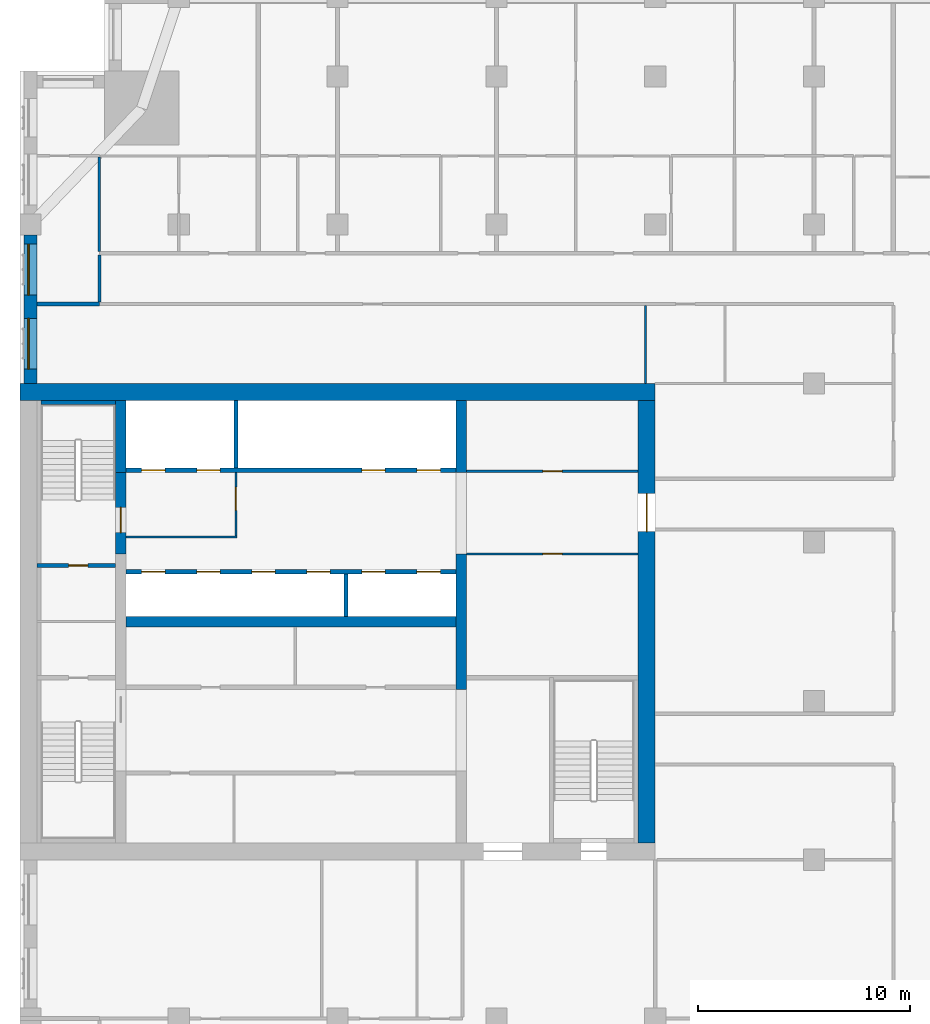
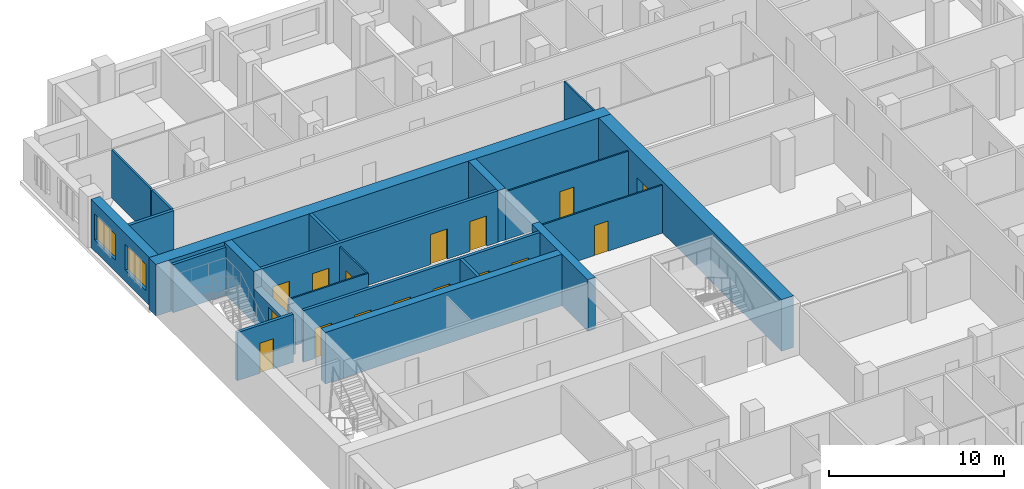
# One storey, part 8 of 14: 22 walls, 16 doors, 2 windows, 18 openings.
"""IFC4 building model written with IfcOpenShell, lengths in metres."""

import ifcopenshell
import ifcopenshell.guid

model = None  # the IFC model being written
_history = None  # IfcOwnerHistory: only IFC2X3 demands one
_inside = {}  # id of a spatial element -> (the spatial element, [elements in it])
_under = {}  # id of a project, library or spatial element -> (it, [spatial elements below it])
_declared = {}  # id of a project -> (the project, [libraries it declares])
_typed = {}  # id of a type object -> (the type object, [elements of that type])
_made_of = {}  # id of a material, layer set ... -> (it, [elements and type objects made of it])


def new_model(schema):
    """Start an empty IFC model of exactly this schema.

    Asked for "IFC4X3", IfcOpenShell would pick the latest addendum, in which some entities
    have other attributes; the version numbers below select the first issue.
    IFC2X3 requires an IfcOwnerHistory on every rooted entity: one is made here for all.
    """
    global model, _history
    if schema == "IFC4X3":
        model = ifcopenshell.file(schema_version=(4, 3, 0, 0))
    else:
        model = ifcopenshell.file(schema=schema)
    _inside.clear()
    _under.clear()
    _declared.clear()
    _typed.clear()
    _made_of.clear()
    _history = None
    if model.schema == "IFC2X3":
        org = make("IfcOrganization", Name="unknown")
        user = make(
            "IfcPersonAndOrganization",
            ThePerson=make("IfcPerson", FamilyName="unknown"),
            TheOrganization=org,
        )
        app = make(
            "IfcApplication",
            ApplicationDeveloper=org,
            Version="unknown",
            ApplicationFullName="unknown",
            ApplicationIdentifier="unknown",
        )
        _history = make(
            "IfcOwnerHistory",
            OwningUser=user,
            OwningApplication=app,
            ChangeAction="ADDED",
            CreationDate=0,
        )
    return model


def make(cls, **values):
    """One entity of the class cls with the attributes given. An attribute that is None is left unset."""
    return model.create_entity(
        cls, **{name: value for name, value in values.items() if value is not None}
    )


def rooted(cls, **values):
    """An entity with a GlobalId (a new one), such as an element, a storey or a relation."""
    return make(cls, GlobalId=ifcopenshell.guid.new(), OwnerHistory=_history, **values)


def si_unit(unit_type, name, prefix=None):
    """IfcSIUnit, for example si_unit("LENGTHUNIT", "METRE", prefix="MILLI")."""
    return make("IfcSIUnit", UnitType=unit_type, Prefix=prefix, Name=name)


def assignment(units):
    """IfcUnitAssignment: the units of a project."""
    return None if units is None else make("IfcUnitAssignment", Units=units)


def point(xyz):
    """IfcCartesianPoint."""
    return None if xyz is None else make("IfcCartesianPoint", Coordinates=xyz)


def direction(xyz):
    """IfcDirection."""
    return None if xyz is None else make("IfcDirection", DirectionRatios=xyz)


def frame(location, z_axis=None, x_axis=None):
    """IfcAxis2Placement3D, a coordinate frame: its origin and axes. An axis left out is left unset."""
    return make(
        "IfcAxis2Placement3D",
        Location=point(location),
        Axis=direction(z_axis),
        RefDirection=direction(x_axis),
    )


def frame_2d(location, x_axis=None):
    """IfcAxis2Placement2D, a coordinate frame in the plane: its origin and x axis."""
    return make(
        "IfcAxis2Placement2D", Location=point(location), RefDirection=direction(x_axis)
    )


def origin():
    """The frame at (0, 0, 0) with its axes left unset."""
    return frame((0.0, 0.0, 0.0))


def place(relative_to, where):
    """IfcLocalPlacement: puts the frame where relative to a parent placement (None: the world)."""
    return make(
        "IfcLocalPlacement", PlacementRelTo=relative_to, RelativePlacement=where
    )


def context(
    kind, dimensions, precision=None, world=None, true_north=None, identifier=None
):
    """IfcGeometricRepresentationContext, for example the 3D "Model" context."""
    return make(
        "IfcGeometricRepresentationContext",
        ContextIdentifier=identifier,
        ContextType=kind,
        CoordinateSpaceDimension=dimensions,
        Precision=precision,
        WorldCoordinateSystem=world,
        TrueNorth=true_north,
    )


def subcontext(parent, identifier, kind, view, scale=None):
    """IfcGeometricRepresentationSubContext, for example "Body" below "Model"."""
    return make(
        "IfcGeometricRepresentationSubContext",
        ContextIdentifier=identifier,
        ContextType=kind,
        ParentContext=parent,
        TargetScale=scale,
        TargetView=view,
    )


def project(units=None, contexts=None):
    """IfcProject with its units and contexts."""
    return rooted(
        "IfcProject",
        Name="project",
        RepresentationContexts=contexts,
        UnitsInContext=assignment(units),
    )


def spatial(cls, under=None, at=None, **own):
    """A site, building, storey or space (cls), placed at a placement, below another one or the project."""
    s = rooted(cls, ObjectPlacement=at, **own)
    if under is not None:
        _under.setdefault(under.id(), (under, []))[1].append(s)
    return s


def profile(cls, at=None, kind="AREA", **sizes):
    """A parametric profile (cls). Its sizes go by their IFC names, for example OverallWidth=200.0."""
    return make(cls, ProfileType=kind, Position=at, **sizes)


def rectangle(**sizes):
    """IfcRectangleProfileDef."""
    return profile("IfcRectangleProfileDef", **sizes)


def extrude(swept, where, along, depth):
    """IfcExtrudedAreaSolid: the profile swept, set in the frame where, extruded along a direction by depth."""
    return make(
        "IfcExtrudedAreaSolid",
        SweptArea=swept,
        Position=where,
        ExtrudedDirection=direction(along),
        Depth=depth,
    )


def shape(context_of_items, identifier, shape_type, items):
    """IfcShapeRepresentation: the items that make up one representation, for example the "Body"."""
    return make(
        "IfcShapeRepresentation",
        ContextOfItems=context_of_items,
        RepresentationIdentifier=identifier,
        RepresentationType=shape_type,
        Items=items,
    )


def material(Name=None, Category=None):
    """IfcMaterial."""
    return make("IfcMaterial", Name=Name, Category=Category)


def layer(
    of_material, thickness, ventilated=None, Name=None, Category=None, Priority=None
):
    """IfcMaterialLayer: one layer of a wall or slab, of a material (None: an air gap)."""
    return make(
        "IfcMaterialLayer",
        Material=of_material,
        LayerThickness=thickness,
        IsVentilated=ventilated,
        Name=Name,
        Category=Category,
        Priority=Priority,
    )


def layer_set(layers, Name=None):
    """IfcMaterialLayerSet."""
    return make("IfcMaterialLayerSet", MaterialLayers=layers, LayerSetName=Name)


def made_of(thing, what):
    """Note that an element or type object is made of a material, layer set ...; save() writes the relation."""
    if what is not None:
        _made_of.setdefault(what.id(), (what, []))[1].append(thing)
    return thing


def type_object(cls, material=None, **own):
    """A type object (cls), such as IfcWallType, which elements share."""
    return made_of(rooted(cls, **own), material)


def element(
    cls,
    number,
    at=None,
    inside=None,
    cuts=None,
    type_object=None,
    material=None,
    context=None,
    identifier="Body",
    shape_type=None,
    held_by="IfcProductDefinitionShape",
    body=None,
    shapes=None,
    **own,
):
    """One element of the class cls, such as IfcWall. Its Tag is "e" and its number.

    at: its placement. inside: the storey or other place that contains it. cuts: it is an
    opening in that element (IfcRelVoidsElement). A single representation is given by context,
    identifier, shape_type and body (its items); several are given by shapes. held_by: the class
    of the entity that holds the representations. save() writes the other relations.
    """
    e = rooted(cls, Tag="e%d" % number, ObjectPlacement=at, **own)
    if body is not None:
        shapes = [shape(context, identifier, shape_type, body)]
    if shapes is not None:
        e.Representation = make(held_by, Representations=shapes)
    if inside is not None:
        _inside.setdefault(inside.id(), (inside, []))[1].append(e)
    if cuts is not None:
        rooted(
            "IfcRelVoidsElement", RelatingBuildingElement=cuts, RelatedOpeningElement=e
        )
    if type_object is not None:
        _typed.setdefault(type_object.id(), (type_object, []))[1].append(e)
    return made_of(e, material)


def fill(opening, filler):
    """IfcRelFillsElement: the door or window that sits in an opening."""
    return rooted(
        "IfcRelFillsElement",
        RelatingOpeningElement=opening,
        RelatedBuildingElement=filler,
    )


def aggregate(whole, parts):
    """IfcRelAggregates: a whole, such as a stair, and the parts it consists of."""
    return rooted("IfcRelAggregates", RelatingObject=whole, RelatedObjects=parts)


def save(model, path):
    """Write the relations noted so far, then the file.

    IfcRelAggregates (storeys below a building ...), IfcRelContainedInSpatialStructure (elements
    in a storey), IfcRelDefinesByType, IfcRelAssociatesMaterial and IfcRelDeclares: one each for
    every whole, place, type object, material and project.
    """
    for whole, parts in _under.values():
        aggregate(whole, parts)
    for where, things in _inside.values():
        rooted(
            "IfcRelContainedInSpatialStructure",
            RelatedElements=things,
            RelatingStructure=where,
        )
    for kind, things in _typed.values():
        rooted("IfcRelDefinesByType", RelatedObjects=things, RelatingType=kind)
    for what, things in _made_of.values():
        rooted("IfcRelAssociatesMaterial", RelatedObjects=things, RelatingMaterial=what)
    for by, libraries in _declared.values():
        rooted("IfcRelDeclares", RelatingContext=by, RelatedDefinitions=libraries)
    model.write(path)


model = new_model("IFC4")

# Units and contexts
model_context = context("Model", 3, precision=1e-05, world=origin(), true_north=direction((0.0, 1.0)))
body_context = subcontext(model_context, "Body", "Model", "MODEL_VIEW")
ifc_project = project(units=[si_unit("LENGTHUNIT", "METRE"), si_unit("AREAUNIT", "SQUARE_METRE"), si_unit("VOLUMEUNIT", "CUBIC_METRE"), si_unit("PLANEANGLEUNIT", "RADIAN"), si_unit("MASSUNIT", "GRAM", prefix="KILO")], contexts=[model_context])

# Site, building, storey
site_placement = place(None, origin())
site = spatial("IfcSite", under=ifc_project, at=site_placement, CompositionType="ELEMENT")
building_placement = place(site_placement, origin())
building = spatial("IfcBuilding", under=site, at=building_placement, Name="Tamorin Gate", CompositionType="ELEMENT")
storey_placement = place(building_placement, frame((0.0, 0.0, 141.0)))
storey = spatial("IfcBuildingStorey", under=building, at=storey_placement, Name="L34", CompositionType="ELEMENT", Elevation=141.0)

# Wall, openings, windows
ifc_material_1 = material(Name="Precast concrete C40/50", Category="concrete")
ifc_layer_1 = layer(ifc_material_1, 0.60009765625)
ifc_layer_set_1 = layer_set([ifc_layer_1], Name="Precast concrete C40/50")
wall_type_1 = type_object("IfcWallType", Name="Board-marked concrete facade panel 600", PredefinedType="SOLIDWALL", material=ifc_layer_set_1)
wall_1_placement = place(storey_placement, frame((30.5, 89.5, 0.0), z_axis=(0.0, 0.0, 1.0), x_axis=(0.0, -1.0, 0.0)))
wall_1 = element("IfcWall", 1, at=wall_1_placement, inside=storey, type_object=wall_type_1, Name="Facade panel", PredefinedType="SOLIDWALL", context=body_context, shape_type="SweptSolid", body=[
    extrude(rectangle(XDim=7.0, YDim=0.60009765625, at=frame_2d((3.5, 0.0))), origin(), (0.0, 0.0, 1.0), 3.35009765625),
])
opening_1_placement = place(wall_1_placement, frame((3.925048828125, 0.0, 0.800048828125)))
opening_1 = element("IfcOpeningElement", 2, at=opening_1_placement, cuts=wall_1, Name="Opening WN1", PredefinedType="OPENING", context=body_context, shape_type="SweptSolid", body=[
    extrude(rectangle(XDim=2.39990234375, YDim=1.800048828125, at=frame_2d((1.199951171875, 0.89990234375))), frame((0.0, 0.31005859375, 0.0), z_axis=(0.0, -1.0, 0.0), x_axis=(1.0, 0.0, 0.0)), (0.0, 0.0, 1.0), 0.6201171875),
])
opening_2_placement = place(wall_1_placement, frame((0.425048828125, 0.0, 0.800048828125)))
opening_2 = element("IfcOpeningElement", 3, at=opening_2_placement, cuts=wall_1, Name="Opening WN1", PredefinedType="OPENING", context=body_context, shape_type="SweptSolid", body=[
    extrude(rectangle(XDim=2.39990234375, YDim=1.800048828125, at=frame_2d((1.199951171875, 0.89990234375))), frame((0.0, 0.31005859375, 0.0), z_axis=(0.0, -1.0, 0.0), x_axis=(1.0, 0.0, 0.0)), (0.0, 0.0, 1.0), 0.6201171875),
])
ifc_material_2 = material(Name="Clear glass in aluminium frame", Category="aluminium")
window_type = type_object("IfcWindowType", Name="Deep-set window 2400x1800", PartitioningType="SINGLE_PANEL", PredefinedType="WINDOW", material=ifc_material_2)
window_1_placement = place(opening_1_placement, origin())
window_1 = element("IfcWindow", 4, at=window_1_placement, inside=storey, type_object=window_type, Name="Deep-set window", OverallHeight=1.800048828125, OverallWidth=2.39990234375, PartitioningType="SINGLE_PANEL", PredefinedType="WINDOW", context=body_context, shape_type="SweptSolid", body=[
    extrude(rectangle(XDim=2.39990234375, YDim=1.800048828125, at=frame_2d((1.199951171875, 0.89990234375))), frame((0.0, -0.070068359375, 0.0), z_axis=(0.0, -1.0, 0.0), x_axis=(1.0, 0.0, 0.0)), (0.0, 0.0, 1.0), 0.06005859375),
])
fill(opening_1, window_1)
window_2_placement = place(opening_2_placement, origin())
window_2 = element("IfcWindow", 5, at=window_2_placement, inside=storey, type_object=window_type, Name="Deep-set window", OverallHeight=1.800048828125, OverallWidth=2.39990234375, PartitioningType="SINGLE_PANEL", PredefinedType="WINDOW", context=body_context, shape_type="SweptSolid", body=[
    extrude(rectangle(XDim=2.39990234375, YDim=1.800048828125, at=frame_2d((1.199951171875, 0.89990234375))), frame((0.0, -0.070068359375, 0.0), z_axis=(0.0, -1.0, 0.0), x_axis=(1.0, 0.0, 0.0)), (0.0, 0.0, 1.0), 0.06005859375),
])
fill(opening_2, window_2)

# Walls
ifc_material_3 = material(Name="Gypsum board partition")
ifc_layer_2 = layer(ifc_material_3, 0.14990234375)
ifc_layer_set_2 = layer_set([ifc_layer_2], Name="Corridor wall 150")
wall_type_2 = type_object("IfcWallType", Name="Corridor wall 150", PredefinedType="PARTITIONING", material=ifc_layer_set_2)
wall_2_placement = place(storey_placement, frame((33.75, 86.35009765625, 0.0), z_axis=(0.0, 0.0, 1.0), x_axis=(0.0, 1.0, 0.0)))
element("IfcWall", 6, at=wall_2_placement, inside=storey, type_object=wall_type_2, Name="Corridor wall 150", PredefinedType="PARTITIONING", context=body_context, shape_type="SweptSolid", body=[
    extrude(rectangle(XDim=2.224853515625, YDim=0.14990234375, at=frame_2d((1.1123046875, 0.0))), origin(), (0.0, 0.0, 1.0), 3.35009765625),
])
ifc_layer_3 = layer(ifc_material_3, 0.199951171875)
ifc_layer_set_3 = layer_set([ifc_layer_3], Name="Demising wall 200")
wall_type_3 = type_object("IfcWallType", Name="Demising wall 200", PredefinedType="PARTITIONING", material=ifc_layer_set_3)
wall_3_placement = place(storey_placement, frame((30.81005859375, 86.25, 0.0), z_axis=(0.0, 0.0, 1.0), x_axis=(1.0, 0.0, 0.0)))
element("IfcWall", 7, at=wall_3_placement, inside=storey, type_object=wall_type_3, Name="Demising wall 200", PredefinedType="PARTITIONING", context=body_context, shape_type="SweptSolid", body=[
    extrude(rectangle(XDim=2.93994140625, YDim=0.199951171875, at=frame_2d((1.469970703125, 0.0))), origin(), (0.0, 0.0, 1.0), 3.35009765625),
])

# Wall, openings, doors
ifc_material_4 = material(Name="Concrete C32/40", Category="concrete")
ifc_layer_4 = layer(ifc_material_4, 0.199951171875)
ifc_layer_set_4 = layer_set([ifc_layer_4], Name="Lift lobby face wall 200 EI 120")
wall_type_4 = type_object("IfcWallType", Name="Lift lobby face wall 200 EI 120", PredefinedType="SOLIDWALL", material=ifc_layer_set_4)
wall_4_placement = place(storey_placement, frame((35.0, 73.60009765625, 0.0), z_axis=(0.0, 0.0, 1.0), x_axis=(1.0, 0.0, 0.0)))
wall_4 = element("IfcWall", 8, at=wall_4_placement, inside=storey, type_object=wall_type_4, Name="Lift lobby face wall", PredefinedType="SOLIDWALL", context=body_context, shape_type="SweptSolid", body=[
    extrude(rectangle(XDim=15.60009765625, YDim=0.199951171875, at=frame_2d((7.800048828125, 0.0))), origin(), (0.0, 0.0, 1.0), 3.60009765625),
])
opening_3_placement = place(wall_4_placement, frame((0.75, 0.0, 0.0)))
opening_3 = element("IfcOpeningElement", 9, at=opening_3_placement, cuts=wall_4, Name="Opening LD11", PredefinedType="OPENING", context=body_context, shape_type="SweptSolid", body=[
    extrude(rectangle(XDim=1.10009765625, YDim=2.10009765625, at=frame_2d((0.550048828125, 1.050048828125))), frame((0.0, 0.10986328125, 0.0), z_axis=(0.0, -1.0, 0.0), x_axis=(1.0, 0.0, 0.0)), (0.0, 0.0, 1.0), 0.219970703125),
])
opening_4_placement = place(wall_4_placement, frame((3.35009765625, 0.0, 0.0)))
opening_4 = element("IfcOpeningElement", 10, at=opening_4_placement, cuts=wall_4, Name="Opening LD12", PredefinedType="OPENING", context=body_context, shape_type="SweptSolid", body=[
    extrude(rectangle(XDim=1.10009765625, YDim=2.10009765625, at=frame_2d((0.550048828125, 1.050048828125))), frame((0.0, 0.10986328125, 0.0), z_axis=(0.0, -1.0, 0.0), x_axis=(1.0, 0.0, 0.0)), (0.0, 0.0, 1.0), 0.219970703125),
])
opening_5_placement = place(wall_4_placement, frame((5.949951171875, 0.0, 0.0)))
opening_5 = element("IfcOpeningElement", 11, at=opening_5_placement, cuts=wall_4, Name="Opening LD13", PredefinedType="OPENING", context=body_context, shape_type="SweptSolid", body=[
    extrude(rectangle(XDim=1.10009765625, YDim=2.10009765625, at=frame_2d((0.550048828125, 1.050048828125))), frame((0.0, 0.10986328125, 0.0), z_axis=(0.0, -1.0, 0.0), x_axis=(1.0, 0.0, 0.0)), (0.0, 0.0, 1.0), 0.219970703125),
])
opening_6_placement = place(wall_4_placement, frame((8.550048828125, 0.0, 0.0)))
opening_6 = element("IfcOpeningElement", 12, at=opening_6_placement, cuts=wall_4, Name="Opening LD14", PredefinedType="OPENING", context=body_context, shape_type="SweptSolid", body=[
    extrude(rectangle(XDim=1.10009765625, YDim=2.10009765625, at=frame_2d((0.550048828125, 1.050048828125))), frame((0.0, 0.10986328125, 0.0), z_axis=(0.0, -1.0, 0.0), x_axis=(1.0, 0.0, 0.0)), (0.0, 0.0, 1.0), 0.219970703125),
])
opening_7_placement = place(wall_4_placement, frame((11.14990234375, 0.0, 0.0)))
opening_7 = element("IfcOpeningElement", 13, at=opening_7_placement, cuts=wall_4, Name="Opening LD15", PredefinedType="OPENING", context=body_context, shape_type="SweptSolid", body=[
    extrude(rectangle(XDim=1.10009765625, YDim=2.10009765625, at=frame_2d((0.550048828125, 1.050048828125))), frame((0.0, 0.10986328125, 0.0), z_axis=(0.0, -1.0, 0.0), x_axis=(1.0, 0.0, 0.0)), (0.0, 0.0, 1.0), 0.219970703125),
])
opening_8_placement = place(wall_4_placement, frame((13.75, 0.0, 0.0)))
opening_8 = element("IfcOpeningElement", 14, at=opening_8_placement, cuts=wall_4, Name="Opening LD16", PredefinedType="OPENING", context=body_context, shape_type="SweptSolid", body=[
    extrude(rectangle(XDim=1.10009765625, YDim=2.10009765625, at=frame_2d((0.550048828125, 1.050048828125))), frame((0.0, 0.10986328125, 0.0), z_axis=(0.0, -1.0, 0.0), x_axis=(1.0, 0.0, 0.0)), (0.0, 0.0, 1.0), 0.219970703125),
])
ifc_material_5 = material(Name="Stainless steel sliding door", Category="steel")
door_type_1 = type_object("IfcDoorType", Name="Lift landing door 1100 x 2100 E 90", OperationType="DOUBLE_DOOR_SLIDING", PredefinedType="DOOR", material=ifc_material_5)
door_1_placement = place(opening_3_placement, origin())
door_1 = element("IfcDoor", 15, at=door_1_placement, inside=storey, type_object=door_type_1, Name="HR1 landing door", OperationType="DOUBLE_DOOR_SLIDING", OverallHeight=2.10009765625, OverallWidth=1.10009765625, PredefinedType="DOOR", context=body_context, shape_type="SweptSolid", body=[
    extrude(rectangle(XDim=1.10009765625, YDim=2.10009765625, at=frame_2d((0.550048828125, 1.050048828125))), frame((0.0, 0.02490234375, 0.0), z_axis=(0.0, -1.0, 0.0), x_axis=(1.0, 0.0, 0.0)), (0.0, 0.0, 1.0), 0.050048828125),
])
fill(opening_3, door_1)
door_2_placement = place(opening_4_placement, origin())
door_2 = element("IfcDoor", 16, at=door_2_placement, inside=storey, type_object=door_type_1, Name="HR2 landing door", OperationType="DOUBLE_DOOR_SLIDING", OverallHeight=2.10009765625, OverallWidth=1.10009765625, PredefinedType="DOOR", context=body_context, shape_type="SweptSolid", body=[
    extrude(rectangle(XDim=1.10009765625, YDim=2.10009765625, at=frame_2d((0.550048828125, 1.050048828125))), frame((0.0, 0.02490234375, 0.0), z_axis=(0.0, -1.0, 0.0), x_axis=(1.0, 0.0, 0.0)), (0.0, 0.0, 1.0), 0.050048828125),
])
fill(opening_4, door_2)
door_3_placement = place(opening_5_placement, origin())
door_3 = element("IfcDoor", 17, at=door_3_placement, inside=storey, type_object=door_type_1, Name="HR3 landing door", OperationType="DOUBLE_DOOR_SLIDING", OverallHeight=2.10009765625, OverallWidth=1.10009765625, PredefinedType="DOOR", context=body_context, shape_type="SweptSolid", body=[
    extrude(rectangle(XDim=1.10009765625, YDim=2.10009765625, at=frame_2d((0.550048828125, 1.050048828125))), frame((0.0, 0.02490234375, 0.0), z_axis=(0.0, -1.0, 0.0), x_axis=(1.0, 0.0, 0.0)), (0.0, 0.0, 1.0), 0.050048828125),
])
fill(opening_5, door_3)
door_4_placement = place(opening_6_placement, origin())
door_4 = element("IfcDoor", 18, at=door_4_placement, inside=storey, type_object=door_type_1, Name="HR4 landing door", OperationType="DOUBLE_DOOR_SLIDING", OverallHeight=2.10009765625, OverallWidth=1.10009765625, PredefinedType="DOOR", context=body_context, shape_type="SweptSolid", body=[
    extrude(rectangle(XDim=1.10009765625, YDim=2.10009765625, at=frame_2d((0.550048828125, 1.050048828125))), frame((0.0, 0.02490234375, 0.0), z_axis=(0.0, -1.0, 0.0), x_axis=(1.0, 0.0, 0.0)), (0.0, 0.0, 1.0), 0.050048828125),
])
fill(opening_6, door_4)
door_5_placement = place(opening_7_placement, origin())
door_5 = element("IfcDoor", 19, at=door_5_placement, inside=storey, type_object=door_type_1, Name="HR5 landing door", OperationType="DOUBLE_DOOR_SLIDING", OverallHeight=2.10009765625, OverallWidth=1.10009765625, PredefinedType="DOOR", context=body_context, shape_type="SweptSolid", body=[
    extrude(rectangle(XDim=1.10009765625, YDim=2.10009765625, at=frame_2d((0.550048828125, 1.050048828125))), frame((0.0, 0.02490234375, 0.0), z_axis=(0.0, -1.0, 0.0), x_axis=(1.0, 0.0, 0.0)), (0.0, 0.0, 1.0), 0.050048828125),
])
fill(opening_7, door_5)
door_6_placement = place(opening_8_placement, origin())
door_6 = element("IfcDoor", 20, at=door_6_placement, inside=storey, type_object=door_type_1, Name="HR6 landing door", OperationType="DOUBLE_DOOR_SLIDING", OverallHeight=2.10009765625, OverallWidth=1.10009765625, PredefinedType="DOOR", context=body_context, shape_type="SweptSolid", body=[
    extrude(rectangle(XDim=1.10009765625, YDim=2.10009765625, at=frame_2d((0.550048828125, 1.050048828125))), frame((0.0, 0.02490234375, 0.0), z_axis=(0.0, -1.0, 0.0), x_axis=(1.0, 0.0, 0.0)), (0.0, 0.0, 1.0), 0.050048828125),
])
fill(opening_8, door_6)

wall_5_placement = place(storey_placement, frame((35.0, 78.39990234375, 0.0), z_axis=(0.0, 0.0, 1.0), x_axis=(1.0, 0.0, 0.0)))
wall_5 = element("IfcWall", 21, at=wall_5_placement, inside=storey, type_object=wall_type_4, Name="Lift lobby face wall", PredefinedType="SOLIDWALL", context=body_context, shape_type="SweptSolid", body=[
    extrude(rectangle(XDim=15.60009765625, YDim=0.199951171875, at=frame_2d((7.800048828125, 0.0))), origin(), (0.0, 0.0, 1.0), 3.60009765625),
])
opening_9_placement = place(wall_5_placement, frame((0.75, 0.0, 0.0)))
opening_9 = element("IfcOpeningElement", 22, at=opening_9_placement, cuts=wall_5, Name="Opening LD17", PredefinedType="OPENING", context=body_context, shape_type="SweptSolid", body=[
    extrude(rectangle(XDim=1.10009765625, YDim=2.10009765625, at=frame_2d((0.550048828125, 1.050048828125))), frame((0.0, 0.10986328125, 0.0), z_axis=(0.0, -1.0, 0.0), x_axis=(1.0, 0.0, 0.0)), (0.0, 0.0, 1.0), 0.219970703125),
])
opening_10_placement = place(wall_5_placement, frame((3.35009765625, 0.0, 0.0)))
opening_10 = element("IfcOpeningElement", 23, at=opening_10_placement, cuts=wall_5, Name="Opening LD18", PredefinedType="OPENING", context=body_context, shape_type="SweptSolid", body=[
    extrude(rectangle(XDim=1.10009765625, YDim=2.10009765625, at=frame_2d((0.550048828125, 1.050048828125))), frame((0.0, 0.10986328125, 0.0), z_axis=(0.0, -1.0, 0.0), x_axis=(1.0, 0.0, 0.0)), (0.0, 0.0, 1.0), 0.219970703125),
])
opening_11_placement = place(wall_5_placement, frame((11.14990234375, 0.0, 0.0)))
opening_11 = element("IfcOpeningElement", 24, at=opening_11_placement, cuts=wall_5, Name="Opening LD21", PredefinedType="OPENING", context=body_context, shape_type="SweptSolid", body=[
    extrude(rectangle(XDim=1.10009765625, YDim=2.10009765625, at=frame_2d((0.550048828125, 1.050048828125))), frame((0.0, 0.10986328125, 0.0), z_axis=(0.0, -1.0, 0.0), x_axis=(1.0, 0.0, 0.0)), (0.0, 0.0, 1.0), 0.219970703125),
])
opening_12_placement = place(wall_5_placement, frame((13.75, 0.0, 0.0)))
opening_12 = element("IfcOpeningElement", 25, at=opening_12_placement, cuts=wall_5, Name="Opening LD22", PredefinedType="OPENING", context=body_context, shape_type="SweptSolid", body=[
    extrude(rectangle(XDim=1.10009765625, YDim=2.10009765625, at=frame_2d((0.550048828125, 1.050048828125))), frame((0.0, 0.10986328125, 0.0), z_axis=(0.0, -1.0, 0.0), x_axis=(1.0, 0.0, 0.0)), (0.0, 0.0, 1.0), 0.219970703125),
])
door_7_placement = place(opening_9_placement, origin())
door_7 = element("IfcDoor", 26, at=door_7_placement, inside=storey, type_object=door_type_1, Name="FF1 landing door", OperationType="DOUBLE_DOOR_SLIDING", OverallHeight=2.10009765625, OverallWidth=1.10009765625, PredefinedType="DOOR", context=body_context, shape_type="SweptSolid", body=[
    extrude(rectangle(XDim=1.10009765625, YDim=2.10009765625, at=frame_2d((0.550048828125, 1.050048828125))), frame((0.0, 0.02490234375, 0.0), z_axis=(0.0, -1.0, 0.0), x_axis=(1.0, 0.0, 0.0)), (0.0, 0.0, 1.0), 0.050048828125),
])
fill(opening_9, door_7)
door_8_placement = place(opening_10_placement, origin())
door_8 = element("IfcDoor", 27, at=door_8_placement, inside=storey, type_object=door_type_1, Name="FF2 landing door", OperationType="DOUBLE_DOOR_SLIDING", OverallHeight=2.10009765625, OverallWidth=1.10009765625, PredefinedType="DOOR", context=body_context, shape_type="SweptSolid", body=[
    extrude(rectangle(XDim=1.10009765625, YDim=2.10009765625, at=frame_2d((0.550048828125, 1.050048828125))), frame((0.0, 0.02490234375, 0.0), z_axis=(0.0, -1.0, 0.0), x_axis=(1.0, 0.0, 0.0)), (0.0, 0.0, 1.0), 0.050048828125),
])
fill(opening_10, door_8)
door_9_placement = place(opening_11_placement, origin())
door_9 = element("IfcDoor", 28, at=door_9_placement, inside=storey, type_object=door_type_1, Name="SV1 landing door", OperationType="DOUBLE_DOOR_SLIDING", OverallHeight=2.10009765625, OverallWidth=1.10009765625, PredefinedType="DOOR", context=body_context, shape_type="SweptSolid", body=[
    extrude(rectangle(XDim=1.10009765625, YDim=2.10009765625, at=frame_2d((0.550048828125, 1.050048828125))), frame((0.0, 0.02490234375, 0.0), z_axis=(0.0, -1.0, 0.0), x_axis=(1.0, 0.0, 0.0)), (0.0, 0.0, 1.0), 0.050048828125),
])
fill(opening_11, door_9)
door_10_placement = place(opening_12_placement, origin())
door_10 = element("IfcDoor", 29, at=door_10_placement, inside=storey, type_object=door_type_1, Name="SV2 landing door", OperationType="DOUBLE_DOOR_SLIDING", OverallHeight=2.10009765625, OverallWidth=1.10009765625, PredefinedType="DOOR", context=body_context, shape_type="SweptSolid", body=[
    extrude(rectangle(XDim=1.10009765625, YDim=2.10009765625, at=frame_2d((0.550048828125, 1.050048828125))), frame((0.0, 0.02490234375, 0.0), z_axis=(0.0, -1.0, 0.0), x_axis=(1.0, 0.0, 0.0)), (0.0, 0.0, 1.0), 0.050048828125),
])
fill(opening_12, door_10)

# Walls
ifc_layer_5 = layer(ifc_material_4, 0.199951171875)
ifc_layer_set_5 = layer_set([ifc_layer_5], Name="Lift shaft wall 200 EI 120")
wall_type_5 = type_object("IfcWallType", Name="Lift shaft wall 200 EI 120", PredefinedType="SOLIDWALL", material=ifc_layer_set_5)
wall_6_placement = place(storey_placement, frame((45.39990234375, 71.5, 0.0), z_axis=(0.0, 0.0, 1.0), x_axis=(0.0, 1.0, 0.0)))
element("IfcWall", 30, at=wall_6_placement, inside=storey, type_object=wall_type_5, Name="Lift shaft wall", PredefinedType="SOLIDWALL", context=body_context, shape_type="SweptSolid", body=[
    extrude(rectangle(XDim=2.0, YDim=0.199951171875, at=frame_2d((1.0, 0.0))), origin(), (0.0, 0.0, 1.0), 3.60009765625),
])
wall_7_placement = place(storey_placement, frame((40.199951171875, 78.5, 0.0), z_axis=(0.0, 0.0, 1.0), x_axis=(0.0, 1.0, 0.0)))
element("IfcWall", 31, at=wall_7_placement, inside=storey, type_object=wall_type_5, Name="Lift shaft wall", PredefinedType="SOLIDWALL", context=body_context, shape_type="SweptSolid", body=[
    extrude(rectangle(XDim=3.199951171875, YDim=0.199951171875, at=frame_2d((1.60009765625, 0.0))), origin(), (0.0, 0.0, 1.0), 3.60009765625),
])
ifc_material_6 = material(Name="Fire-rated gypsum board partition")
ifc_layer_6 = layer(ifc_material_6, 0.10009765625)
ifc_layer_set_6 = layer_set([ifc_layer_6], Name="Lobby wall 100 EI 60")
wall_type_6 = type_object("IfcWallType", Name="Lobby wall 100 EI 60", PredefinedType="PARTITIONING", material=ifc_layer_set_6)
wall_8_placement = place(storey_placement, frame((35.0, 75.25, 0.0), z_axis=(0.0, 0.0, 1.0), x_axis=(1.0, 0.0, 0.0)))
element("IfcWall", 32, at=wall_8_placement, inside=storey, type_object=wall_type_6, Name="Firefighting lobby wall", PredefinedType="PARTITIONING", context=body_context, shape_type="SweptSolid", body=[
    extrude(rectangle(XDim=5.25, YDim=0.10009765625, at=frame_2d((2.625, 0.0))), origin(), (0.0, 0.0, 1.0), 3.35009765625),
])

# Wall, opening, door
wall_9_placement = place(storey_placement, frame((40.199951171875, 75.300048828125, 0.0), z_axis=(0.0, 0.0, 1.0), x_axis=(0.0, 1.0, 0.0)))
wall_9 = element("IfcWall", 33, at=wall_9_placement, inside=storey, type_object=wall_type_6, Name="Firefighting lobby wall", PredefinedType="PARTITIONING", context=body_context, shape_type="SweptSolid", body=[
    extrude(rectangle(XDim=3.0, YDim=0.10009765625, at=frame_2d((1.5, 0.0))), origin(), (0.0, 0.0, 1.0), 3.35009765625),
])
opening_13_placement = place(wall_9_placement, frame((1.199951171875, 0.0, 0.0)))
opening_13 = element("IfcOpeningElement", 34, at=opening_13_placement, cuts=wall_9, Name="Opening DF1", PredefinedType="OPENING", context=body_context, shape_type="SweptSolid", body=[
    extrude(rectangle(XDim=1.10009765625, YDim=2.10009765625, at=frame_2d((0.550048828125, 1.050048828125))), frame((0.0, 0.06005859375, 0.0), z_axis=(0.0, -1.0, 0.0), x_axis=(1.0, 0.0, 0.0)), (0.0, 0.0, 1.0), 0.1201171875),
])
ifc_material_7 = material(Name="Steel fire door", Category="steel")
door_type_2 = type_object("IfcDoorType", Name="Firefighting lobby door 1100 x 2100 EI 90", OperationType="SINGLE_SWING_LEFT", PredefinedType="DOOR", material=ifc_material_7)
door_11_placement = place(opening_13_placement, origin())
door_11 = element("IfcDoor", 35, at=door_11_placement, inside=storey, type_object=door_type_2, Name="Firefighting lobby door", OperationType="SINGLE_SWING_LEFT", OverallHeight=2.10009765625, OverallWidth=1.10009765625, PredefinedType="DOOR", context=body_context, shape_type="SweptSolid", body=[
    extrude(rectangle(XDim=1.10009765625, YDim=2.10009765625, at=frame_2d((0.550048828125, 1.050048828125))), frame((0.0, 0.02490234375, 0.0), z_axis=(0.0, -1.0, 0.0), x_axis=(1.0, 0.0, 0.0)), (0.0, 0.0, 1.0), 0.050048828125),
])
fill(opening_13, door_11)

# Walls
ifc_material_8 = material(Name="Concrete C60/75", Category="concrete")
ifc_layer_7 = layer(ifc_material_8, 0.5)
ifc_layer_set_7 = layer_set([ifc_layer_7], Name="RC core internal wall 500 C60/75")
wall_type_7 = type_object("IfcWallType", Name="RC core internal wall 500 C60/75", PredefinedType="SHEAR", material=ifc_layer_set_7)
wall_10_placement = place(storey_placement, frame((35.0, 71.25, 0.0), z_axis=(0.0, 0.0, 1.0), x_axis=(1.0, 0.0, 0.0)))
element("IfcWall", 36, at=wall_10_placement, inside=storey, type_object=wall_type_7, Name="Core spine wall L34", PredefinedType="SHEAR", context=body_context, shape_type="SweptSolid", body=[
    extrude(rectangle(XDim=15.60009765625, YDim=0.5, at=frame_2d((7.800048828125, 0.0))), origin(), (0.0, 0.0, 1.0), 3.60009765625),
])
wall_11_placement = place(storey_placement, frame((34.75, 78.300048828125, 0.0), z_axis=(0.0, 0.0, 1.0), x_axis=(0.0, 1.0, 0.0)))
element("IfcWall", 37, at=wall_11_placement, inside=storey, type_object=wall_type_7, Name="Core cross wall L34", PredefinedType="SHEAR", context=body_context, shape_type="SweptSolid", body=[
    extrude(rectangle(XDim=3.39990234375, YDim=0.5, at=frame_2d((1.699951171875, 0.0))), origin(), (0.0, 0.0, 1.0), 3.60009765625),
])
wall_12_placement = place(storey_placement, frame((50.85009765625, 68.050048828125, 0.0), z_axis=(0.0, 0.0, 1.0), x_axis=(0.0, 1.0, 0.0)))
element("IfcWall", 38, at=wall_12_placement, inside=storey, type_object=wall_type_7, Name="Core cross wall L34", PredefinedType="SHEAR", context=body_context, shape_type="SweptSolid", body=[
    extrude(rectangle(XDim=6.39990234375, YDim=0.5, at=frame_2d((3.199951171875, 0.0))), origin(), (0.0, 0.0, 1.0), 3.60009765625),
])
wall_13_placement = place(storey_placement, frame((50.85009765625, 78.300048828125, 0.0), z_axis=(0.0, 0.0, 1.0), x_axis=(0.0, 1.0, 0.0)))
element("IfcWall", 39, at=wall_13_placement, inside=storey, type_object=wall_type_7, Name="Core cross wall L34", PredefinedType="SHEAR", context=body_context, shape_type="SweptSolid", body=[
    extrude(rectangle(XDim=3.39990234375, YDim=0.5, at=frame_2d((1.699951171875, 0.0))), origin(), (0.0, 0.0, 1.0), 3.60009765625),
])
ifc_layer_8 = layer(ifc_material_8, 0.800048828125)
ifc_layer_set_8 = layer_set([ifc_layer_8], Name="RC core wall 800 C60/75")
wall_type_8 = type_object("IfcWallType", Name="RC core wall 800 C60/75", PredefinedType="SHEAR", material=ifc_layer_set_8)
wall_14_placement = place(storey_placement, frame((30.0, 82.10009765625, 0.0), z_axis=(0.0, 0.0, 1.0), x_axis=(1.0, 0.0, 0.0)))
element("IfcWall", 40, at=wall_14_placement, inside=storey, type_object=wall_type_8, Name="Core wall L34", PredefinedType="SHEAR", context=body_context, shape_type="SweptSolid", body=[
    extrude(rectangle(XDim=30.0, YDim=0.800048828125, at=frame_2d((15.0, 0.0))), origin(), (0.0, 0.0, 1.0), 3.60009765625),
])

# Wall, opening, door
wall_15_placement = place(storey_placement, frame((59.60009765625, 60.800048828125, 0.0), z_axis=(0.0, 0.0, 1.0), x_axis=(0.0, 1.0, 0.0)))
wall_15 = element("IfcWall", 41, at=wall_15_placement, inside=storey, type_object=wall_type_8, Name="Core wall L34", PredefinedType="SHEAR", context=body_context, shape_type="SweptSolid", body=[
    extrude(rectangle(XDim=20.89990234375, YDim=0.800048828125, at=frame_2d((10.449951171875, 0.0))), origin(), (0.0, 0.0, 1.0), 3.60009765625),
])
opening_14_placement = place(wall_15_placement, frame((14.699951171875, 0.0, 0.0)))
opening_14 = element("IfcOpeningElement", 42, at=opening_14_placement, cuts=wall_15, Name="Opening DE1", PredefinedType="OPENING", context=body_context, shape_type="SweptSolid", body=[
    extrude(rectangle(XDim=1.800048828125, YDim=2.10009765625, at=frame_2d((0.89990234375, 1.050048828125))), frame((0.0, 0.409912109375, 0.0), z_axis=(0.0, -1.0, 0.0), x_axis=(1.0, 0.0, 0.0)), (0.0, 0.0, 1.0), 0.820068359375),
])
door_type_3 = type_object("IfcDoorType", Name="Lobby exit double door 1800 x 2100 EI 60", OperationType="DOUBLE_DOOR_SINGLE_SWING", PredefinedType="DOOR", material=ifc_material_7)
door_12_placement = place(opening_14_placement, origin())
door_12 = element("IfcDoor", 43, at=door_12_placement, inside=storey, type_object=door_type_3, Name="Lift lobby B exit door", OperationType="DOUBLE_DOOR_SINGLE_SWING", OverallHeight=2.10009765625, OverallWidth=1.800048828125, PredefinedType="DOOR", context=body_context, shape_type="SweptSolid", body=[
    extrude(rectangle(XDim=1.800048828125, YDim=2.10009765625, at=frame_2d((0.89990234375, 1.050048828125))), frame((0.0, 0.02490234375, 0.0), z_axis=(0.0, -1.0, 0.0), x_axis=(1.0, 0.0, 0.0)), (0.0, 0.0, 1.0), 0.050048828125),
])
fill(opening_14, door_12)

# Wall
ifc_layer_9 = layer(ifc_material_3, 0.10009765625)
ifc_layer_set_9 = layer_set([ifc_layer_9], Name="Room partition 100")
wall_type_9 = type_object("IfcWallType", Name="Room partition 100", PredefinedType="PARTITIONING", material=ifc_layer_set_9)
wall_16_placement = place(storey_placement, frame((59.550048828125, 82.5, 0.0), z_axis=(0.0, 0.0, 1.0), x_axis=(0.0, 1.0, 0.0)))
element("IfcWall", 44, at=wall_16_placement, inside=storey, type_object=wall_type_9, Name="Room partition 100", PredefinedType="PARTITIONING", context=body_context, shape_type="SweptSolid", body=[
    extrude(rectangle(XDim=3.675048828125, YDim=0.10009765625, at=frame_2d((1.83740234375, 0.0))), origin(), (0.0, 0.0, 1.0), 3.35009765625),
])

# Wall, opening, door
ifc_layer_10 = layer(ifc_material_3, 0.10009765625)
ifc_layer_set_10 = layer_set([ifc_layer_10], Name="Service room partition 100 EI 60")
wall_type_10 = type_object("IfcWallType", Name="Service room partition 100 EI 60", PredefinedType="PARTITIONING", material=ifc_layer_set_10)
wall_17_placement = place(storey_placement, frame((51.10009765625, 74.449951171875, 0.0), z_axis=(0.0, 0.0, 1.0), x_axis=(1.0, 0.0, 0.0)))
wall_17 = element("IfcWall", 45, at=wall_17_placement, inside=storey, type_object=wall_type_10, Name="Service room wall", PredefinedType="PARTITIONING", context=body_context, shape_type="SweptSolid", body=[
    extrude(rectangle(XDim=8.099853515625, YDim=0.10009765625, at=frame_2d((4.0498046875, 0.0))), origin(), (0.0, 0.0, 1.0), 3.35009765625),
])
opening_15_placement = place(wall_17_placement, frame((3.60009765625, 0.0, 0.0)))
opening_15 = element("IfcOpeningElement", 46, at=opening_15_placement, cuts=wall_17, Name="Opening DR1", PredefinedType="OPENING", context=body_context, shape_type="SweptSolid", body=[
    extrude(rectangle(XDim=0.89990234375, YDim=2.10009765625, at=frame_2d((0.449951171875, 1.050048828125))), frame((0.0, 0.06005859375, 0.0), z_axis=(0.0, -1.0, 0.0), x_axis=(1.0, 0.0, 0.0)), (0.0, 0.0, 1.0), 0.1201171875),
])
door_type_4 = type_object("IfcDoorType", Name="Riser access door 900 x 2100 EI 120", OperationType="SINGLE_SWING_LEFT", PredefinedType="DOOR", material=ifc_material_7)
door_13_placement = place(opening_15_placement, origin())
door_13 = element("IfcDoor", 47, at=door_13_placement, inside=storey, type_object=door_type_4, Name="Duct riser door", OperationType="SINGLE_SWING_RIGHT", OverallHeight=2.10009765625, OverallWidth=0.89990234375, PredefinedType="DOOR", context=body_context, shape_type="SweptSolid", body=[
    extrude(rectangle(XDim=0.89990234375, YDim=2.10009765625, at=frame_2d((0.449951171875, 1.050048828125))), frame((0.0, 0.02490234375, 0.0), z_axis=(0.0, -1.0, 0.0), x_axis=(1.0, 0.0, 0.0)), (0.0, 0.0, 1.0), 0.050048828125),
])
fill(opening_15, door_13)

wall_18_placement = place(storey_placement, frame((51.10009765625, 78.35009765625, 0.0), z_axis=(0.0, 0.0, 1.0), x_axis=(1.0, 0.0, 0.0)))
wall_18 = element("IfcWall", 48, at=wall_18_placement, inside=storey, type_object=wall_type_10, Name="Service room wall", PredefinedType="PARTITIONING", context=body_context, shape_type="SweptSolid", body=[
    extrude(rectangle(XDim=8.099853515625, YDim=0.10009765625, at=frame_2d((4.0498046875, 0.0))), origin(), (0.0, 0.0, 1.0), 3.35009765625),
])
opening_16_placement = place(wall_18_placement, frame((3.60009765625, 0.0, 0.0)))
opening_16 = element("IfcOpeningElement", 49, at=opening_16_placement, cuts=wall_18, Name="Opening DK1", PredefinedType="OPENING", context=body_context, shape_type="SweptSolid", body=[
    extrude(rectangle(XDim=0.89990234375, YDim=2.10009765625, at=frame_2d((0.449951171875, 1.050048828125))), frame((0.0, 0.06005859375, 0.0), z_axis=(0.0, -1.0, 0.0), x_axis=(1.0, 0.0, 0.0)), (0.0, 0.0, 1.0), 0.1201171875),
])
ifc_material_9 = material(Name="Timber fire door", Category="wood")
door_type_5 = type_object("IfcDoorType", Name="Service room door 900 x 2100 EI 60", OperationType="SINGLE_SWING_LEFT", PredefinedType="DOOR", material=ifc_material_9)
door_14_placement = place(opening_16_placement, origin())
door_14 = element("IfcDoor", 50, at=door_14_placement, inside=storey, type_object=door_type_5, Name="Door Linen store", OperationType="SINGLE_SWING_RIGHT", OverallHeight=2.10009765625, OverallWidth=0.89990234375, PredefinedType="DOOR", context=body_context, shape_type="SweptSolid", body=[
    extrude(rectangle(XDim=0.89990234375, YDim=2.10009765625, at=frame_2d((0.449951171875, 1.050048828125))), frame((0.0, 0.02490234375, 0.0), z_axis=(0.0, -1.0, 0.0), x_axis=(1.0, 0.0, 0.0)), (0.0, 0.0, 1.0), 0.050048828125),
])
fill(opening_16, door_14)

ifc_material_10 = material(Name="Concrete C40/50", Category="concrete")
ifc_layer_11 = layer(ifc_material_10, 0.199951171875)
ifc_layer_set_11 = layer_set([ifc_layer_11], Name="Stair enclosure wall 200 EI 120 C40/50")
wall_type_11 = type_object("IfcWallType", Name="Stair enclosure wall 200 EI 120 C40/50", PredefinedType="SOLIDWALL", material=ifc_layer_set_11)
wall_19_placement = place(storey_placement, frame((30.800048828125, 73.89990234375, 0.0), z_axis=(0.0, 0.0, 1.0), x_axis=(1.0, 0.0, 0.0)))
wall_19 = element("IfcWall", 51, at=wall_19_placement, inside=storey, type_object=wall_type_11, Name="Stair enclosure wall", PredefinedType="SOLIDWALL", context=body_context, shape_type="SweptSolid", body=[
    extrude(rectangle(XDim=3.699951171875, YDim=0.199951171875, at=frame_2d((1.85009765625, 0.0))), origin(), (0.0, 0.0, 1.0), 3.35009765625),
])
opening_17_placement = place(wall_19_placement, frame((1.5, 0.0, 0.0)))
opening_17 = element("IfcOpeningElement", 52, at=opening_17_placement, cuts=wall_19, Name="Opening DR1", PredefinedType="OPENING", context=body_context, shape_type="SweptSolid", body=[
    extrude(rectangle(XDim=0.89990234375, YDim=2.10009765625, at=frame_2d((0.449951171875, 1.050048828125))), frame((0.0, 0.10986328125, 0.0), z_axis=(0.0, -1.0, 0.0), x_axis=(1.0, 0.0, 0.0)), (0.0, 0.0, 1.0), 0.219970703125),
])
door_15_placement = place(opening_17_placement, origin())
door_15 = element("IfcDoor", 53, at=door_15_placement, inside=storey, type_object=door_type_4, Name="Communications riser door", OperationType="SINGLE_SWING_RIGHT", OverallHeight=2.10009765625, OverallWidth=0.89990234375, PredefinedType="DOOR", context=body_context, shape_type="SweptSolid", body=[
    extrude(rectangle(XDim=0.89990234375, YDim=2.10009765625, at=frame_2d((0.449951171875, 1.050048828125))), frame((0.0, 0.02490234375, 0.0), z_axis=(0.0, -1.0, 0.0), x_axis=(1.0, 0.0, 0.0)), (0.0, 0.0, 1.0), 0.050048828125),
])
fill(opening_17, door_15)

# Wall
ifc_layer_12 = layer(ifc_material_8, 0.199951171875)
ifc_layer_set_12 = layer_set([ifc_layer_12], Name="Stair lining wall 200 EI 120 C60/75")
wall_type_12 = type_object("IfcWallType", Name="Stair lining wall 200 EI 120 C60/75", PredefinedType="SOLIDWALL", material=ifc_layer_set_12)
wall_20_placement = place(storey_placement, frame((31.0, 81.60009765625, 0.0), z_axis=(0.0, 0.0, 1.0), x_axis=(1.0, 0.0, 0.0)))
element("IfcWall", 54, at=wall_20_placement, inside=storey, type_object=wall_type_12, Name="Stair lining wall", PredefinedType="SOLIDWALL", context=body_context, shape_type="SweptSolid", body=[
    extrude(rectangle(XDim=3.5, YDim=0.199951171875, at=frame_2d((1.75, 0.0))), origin(), (0.0, 0.0, 1.0), 3.35009765625),
])

# Wall, opening, door
ifc_layer_13 = layer(ifc_material_4, 0.5)
ifc_layer_set_13 = layer_set([ifc_layer_13], Name="Stair lobby infill wall 500 EI 120")
wall_type_13 = type_object("IfcWallType", Name="Stair lobby infill wall 500 EI 120", PredefinedType="SOLIDWALL", material=ifc_layer_set_13)
wall_21_placement = place(storey_placement, frame((34.75, 74.449951171875, 0.0), z_axis=(0.0, 0.0, 1.0), x_axis=(0.0, 1.0, 0.0)))
wall_21 = element("IfcWall", 55, at=wall_21_placement, inside=storey, type_object=wall_type_13, Name="Stair lobby infill wall", PredefinedType="SOLIDWALL", context=body_context, shape_type="SweptSolid", body=[
    extrude(rectangle(XDim=3.85009765625, YDim=0.5, at=frame_2d((1.925048828125, 0.0))), origin(), (0.0, 0.0, 1.0), 2.39990234375),
])
opening_18_placement = place(wall_21_placement, frame((1.0, 0.0, 0.0)))
opening_18 = element("IfcOpeningElement", 56, at=opening_18_placement, cuts=wall_21, Name="Opening DS1", PredefinedType="OPENING", context=body_context, shape_type="SweptSolid", body=[
    extrude(rectangle(XDim=1.199951171875, YDim=2.10009765625, at=frame_2d((0.60009765625, 1.050048828125))), frame((0.0, 0.260009765625, 0.0), z_axis=(0.0, -1.0, 0.0), x_axis=(1.0, 0.0, 0.0)), (0.0, 0.0, 1.0), 0.52001953125),
])
door_type_6 = type_object("IfcDoorType", Name="Stair door 1200 x 2100 EI 90", OperationType="SINGLE_SWING_LEFT", PredefinedType="DOOR", material=ifc_material_7)
door_16_placement = place(opening_18_placement, origin())
door_16 = element("IfcDoor", 57, at=door_16_placement, inside=storey, type_object=door_type_6, Name="ST2 door", OperationType="SINGLE_SWING_RIGHT", OverallHeight=2.10009765625, OverallWidth=1.199951171875, PredefinedType="DOOR", context=body_context, shape_type="SweptSolid", body=[
    extrude(rectangle(XDim=1.199951171875, YDim=2.10009765625, at=frame_2d((0.60009765625, 1.050048828125))), frame((0.0, 0.02490234375, 0.0), z_axis=(0.0, -1.0, 0.0), x_axis=(1.0, 0.0, 0.0)), (0.0, 0.0, 1.0), 0.050048828125),
])
fill(opening_18, door_16)

# Wall
ifc_layer_14 = layer(ifc_material_3, 0.125)
ifc_layer_set_14 = layer_set([ifc_layer_14], Name="Wet wall 125")
wall_type_14 = type_object("IfcWallType", Name="Wet wall 125", PredefinedType="PARTITIONING", material=ifc_layer_set_14)
wall_22_placement = place(storey_placement, frame((33.75, 88.72509765625, 0.0), z_axis=(0.0, 0.0, 1.0), x_axis=(0.0, 1.0, 0.0)))
element("IfcWall", 58, at=wall_22_placement, inside=storey, type_object=wall_type_14, Name="Wet wall 125", PredefinedType="PARTITIONING", context=body_context, shape_type="SweptSolid", body=[
    extrude(rectangle(XDim=4.46240234375, YDim=0.125, at=frame_2d((2.231201171875, 0.0))), origin(), (0.0, 0.0, 1.0), 3.35009765625),
])

save(model, "model.ifc")
